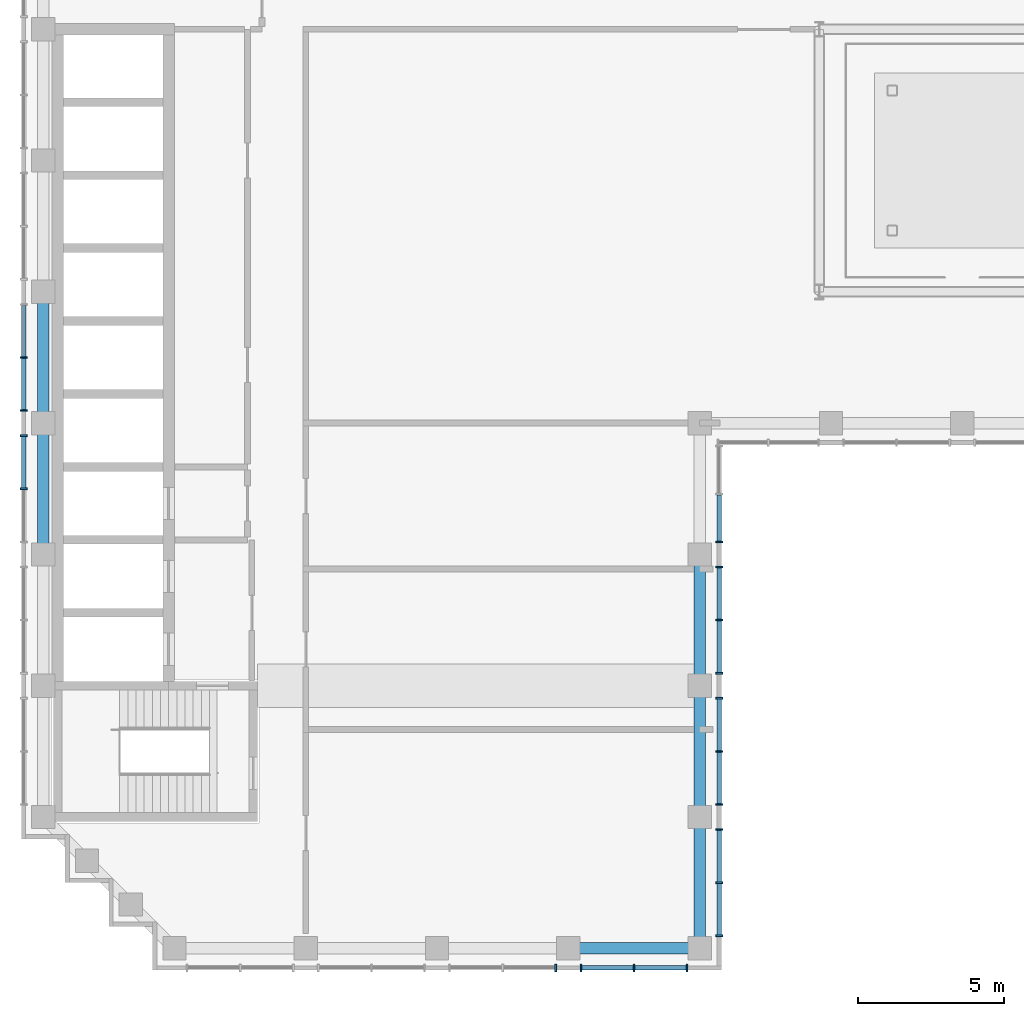
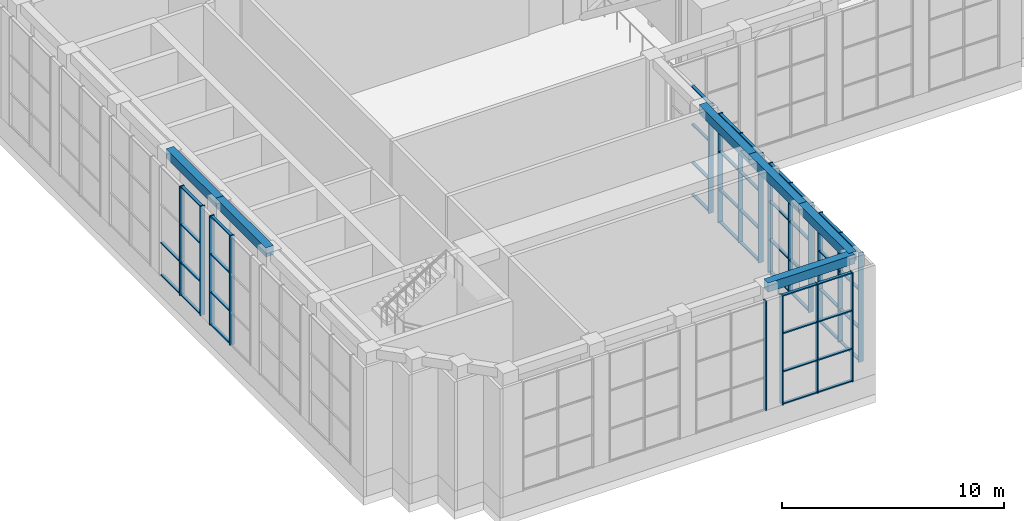
# One storey, part 3 of 17: 64 members, 6 beams, 8 elements without a shape of their own.
"""IFC4 building model written with IfcOpenShell, lengths in metres."""

from ifc_helpers import new_model, si_unit, direction, frame, origin, origin_2d, place, context, subcontext, project, spatial, rectangle, extrude, material, material_profile, profile_set, type_object, element, aggregate, save


model = new_model("IFC4")

# Units and contexts
model_context = context("Model", 3, precision=1e-05, world=origin(), true_north=direction((0.0, 1.0)))
body_context = subcontext(model_context, "Body", "Model", "MODEL_VIEW")
ifc_project = project(units=[si_unit("LENGTHUNIT", "METRE"), si_unit("AREAUNIT", "SQUARE_METRE"), si_unit("VOLUMEUNIT", "CUBIC_METRE"), si_unit("PLANEANGLEUNIT", "RADIAN"), si_unit("MASSUNIT", "GRAM", prefix="KILO")], contexts=[model_context])

# Site, building, storey
site_placement = place(None, origin())
site = spatial("IfcSite", under=ifc_project, at=site_placement, CompositionType="ELEMENT")
building_placement = place(site_placement, origin())
building = spatial("IfcBuilding", under=site, at=building_placement, Name="Firuza Court", CompositionType="ELEMENT")
storey_placement = place(building_placement, frame((0.0, 0.0, 258.199951171875)))
storey = spatial("IfcBuildingStorey", under=building, at=storey_placement, Name="L67", CompositionType="ELEMENT", Elevation=258.199951171875)

# Curtain wall, member
ifc_material_1 = material(Name="Aluminium curtain wall, triple clear glazing", Category="aluminium")
curtain_wall_type = type_object("IfcCurtainWallType", Name="Damper hall structural glazing CW4", PredefinedType="NOTDEFINED", material=ifc_material_1)
curtain_wall_1_placement = place(storey_placement, origin())
curtain_wall_1 = element("IfcCurtainWall", 1, at=curtain_wall_1_placement, inside=storey, type_object=curtain_wall_type, Name="Damper hall structural glazing CW4 L67", PredefinedType="NOTDEFINED")
ifc_material_2 = material(Name="Aluminium EN AW-6060 T66", Category="aluminium")
ifc_material_profile_1 = material_profile(ifc_material_2, rectangle(XDim=0.25, YDim=0.06005859375, at=origin_2d()), Name="Mullion 250 x 60 CW4")
ifc_profile_set_1 = profile_set([ifc_material_profile_1], Name="Aluminium EN AW-6060 T66")
member_type_1 = type_object("IfcMemberType", Name="Mullion 250 x 60 CW4", PredefinedType="MULLION", material=ifc_profile_set_1)
member_1_placement = place(storey_placement, frame((17.570068359375, 17.330078125, 1.10009765625), z_axis=(0.0, 0.0, 1.0), x_axis=(0.0, 1.0, 0.0)))
member_1 = element("IfcMember", 2, at=member_1_placement, type_object=member_type_1, Name="CW4 mullion 3", PredefinedType="MULLION", context=body_context, shape_type="SweptSolid", body=[
    extrude(rectangle(XDim=0.25, YDim=0.06005859375, at=origin_2d()), origin(), (0.0, 0.0, 1.0), 6.0),
])
aggregate(curtain_wall_1, [member_1])

# Curtain wall, members
curtain_wall_2_placement = place(storey_placement, origin())
curtain_wall_2 = element("IfcCurtainWall", 3, at=curtain_wall_2_placement, inside=storey, type_object=curtain_wall_type, Name="Damper hall structural glazing CW4 L67", PredefinedType="NOTDEFINED")
member_2_placement = place(storey_placement, frame((18.429931640625, 17.330078125, 1.10009765625), z_axis=(0.0, 0.0, 1.0), x_axis=(0.0, 1.0, 0.0)))
member_2 = element("IfcMember", 4, at=member_2_placement, type_object=member_type_1, Name="CW4 mullion 1", PredefinedType="MULLION", context=body_context, shape_type="SweptSolid", body=[
    extrude(rectangle(XDim=0.25, YDim=0.06005859375, at=origin_2d()), origin(), (0.0, 0.0, 1.0), 6.0),
])
member_3_placement = place(storey_placement, frame((20.25, 17.330078125, 1.10009765625), z_axis=(0.0, 0.0, 1.0), x_axis=(0.0, 1.0, 0.0)))
member_3 = element("IfcMember", 5, at=member_3_placement, type_object=member_type_1, Name="CW4 mullion 2", PredefinedType="MULLION", context=body_context, shape_type="SweptSolid", body=[
    extrude(rectangle(XDim=0.25, YDim=0.06005859375, at=origin_2d()), origin(), (0.0, 0.0, 1.0), 6.0),
])
member_4_placement = place(storey_placement, frame((22.070068359375, 17.330078125, 1.10009765625), z_axis=(0.0, 0.0, 1.0), x_axis=(0.0, 1.0, 0.0)))
member_4 = element("IfcMember", 6, at=member_4_placement, type_object=member_type_1, Name="CW4 mullion 3", PredefinedType="MULLION", context=body_context, shape_type="SweptSolid", body=[
    extrude(rectangle(XDim=0.25, YDim=0.06005859375, at=origin_2d()), origin(), (0.0, 0.0, 1.0), 6.0),
])

curtain_wall_3_placement = place(storey_placement, origin())
curtain_wall_3 = element("IfcCurtainWall", 7, at=curtain_wall_3_placement, inside=storey, type_object=curtain_wall_type, Name="Damper hall structural glazing CW4 L67", PredefinedType="NOTDEFINED")
member_5_placement = place(storey_placement, frame((23.169921875, 18.429931640625, 1.10009765625), z_axis=(0.0, 0.0, 1.0), x_axis=(-1.0, 0.0, 0.0)))
member_5 = element("IfcMember", 8, at=member_5_placement, type_object=member_type_1, Name="CW4 mullion 1", PredefinedType="MULLION", context=body_context, shape_type="SweptSolid", body=[
    extrude(rectangle(XDim=0.25, YDim=0.06005859375, at=origin_2d()), origin(), (0.0, 0.0, 1.0), 6.0),
])
member_6_placement = place(storey_placement, frame((23.169921875, 20.25, 1.10009765625), z_axis=(0.0, 0.0, 1.0), x_axis=(-1.0, 0.0, 0.0)))
member_6 = element("IfcMember", 9, at=member_6_placement, type_object=member_type_1, Name="CW4 mullion 2", PredefinedType="MULLION", context=body_context, shape_type="SweptSolid", body=[
    extrude(rectangle(XDim=0.25, YDim=0.06005859375, at=origin_2d()), origin(), (0.0, 0.0, 1.0), 6.0),
])
member_7_placement = place(storey_placement, frame((23.169921875, 22.070068359375, 1.10009765625), z_axis=(0.0, 0.0, 1.0), x_axis=(-1.0, 0.0, 0.0)))
member_7 = element("IfcMember", 10, at=member_7_placement, type_object=member_type_1, Name="CW4 mullion 3", PredefinedType="MULLION", context=body_context, shape_type="SweptSolid", body=[
    extrude(rectangle(XDim=0.25, YDim=0.06005859375, at=origin_2d()), origin(), (0.0, 0.0, 1.0), 6.0),
])

curtain_wall_4_placement = place(storey_placement, origin())
curtain_wall_4 = element("IfcCurtainWall", 11, at=curtain_wall_4_placement, inside=storey, type_object=curtain_wall_type, Name="Damper hall structural glazing CW4 L67", PredefinedType="NOTDEFINED")
member_8_placement = place(storey_placement, frame((23.169921875, 22.929931640625, 1.10009765625), z_axis=(0.0, 0.0, 1.0), x_axis=(-1.0, 0.0, 0.0)))
member_8 = element("IfcMember", 12, at=member_8_placement, type_object=member_type_1, Name="CW4 mullion 1", PredefinedType="MULLION", context=body_context, shape_type="SweptSolid", body=[
    extrude(rectangle(XDim=0.25, YDim=0.06005859375, at=origin_2d()), origin(), (0.0, 0.0, 1.0), 6.0),
])
member_9_placement = place(storey_placement, frame((23.169921875, 24.75, 1.10009765625), z_axis=(0.0, 0.0, 1.0), x_axis=(-1.0, 0.0, 0.0)))
member_9 = element("IfcMember", 13, at=member_9_placement, type_object=member_type_1, Name="CW4 mullion 2", PredefinedType="MULLION", context=body_context, shape_type="SweptSolid", body=[
    extrude(rectangle(XDim=0.25, YDim=0.06005859375, at=origin_2d()), origin(), (0.0, 0.0, 1.0), 6.0),
])
member_10_placement = place(storey_placement, frame((23.169921875, 26.570068359375, 1.10009765625), z_axis=(0.0, 0.0, 1.0), x_axis=(-1.0, 0.0, 0.0)))
member_10 = element("IfcMember", 14, at=member_10_placement, type_object=member_type_1, Name="CW4 mullion 3", PredefinedType="MULLION", context=body_context, shape_type="SweptSolid", body=[
    extrude(rectangle(XDim=0.25, YDim=0.06005859375, at=origin_2d()), origin(), (0.0, 0.0, 1.0), 6.0),
])

curtain_wall_5_placement = place(storey_placement, origin())
curtain_wall_5 = element("IfcCurtainWall", 15, at=curtain_wall_5_placement, inside=storey, type_object=curtain_wall_type, Name="Damper hall structural glazing CW4 L67", PredefinedType="NOTDEFINED")
member_11_placement = place(storey_placement, frame((23.169921875, 27.429931640625, 1.10009765625), z_axis=(0.0, 0.0, 1.0), x_axis=(-1.0, 0.0, 0.0)))
member_11 = element("IfcMember", 16, at=member_11_placement, type_object=member_type_1, Name="CW4 mullion 1", PredefinedType="MULLION", context=body_context, shape_type="SweptSolid", body=[
    extrude(rectangle(XDim=0.25, YDim=0.06005859375, at=origin_2d()), origin(), (0.0, 0.0, 1.0), 6.0),
])
member_12_placement = place(storey_placement, frame((23.169921875, 29.25, 1.10009765625), z_axis=(0.0, 0.0, 1.0), x_axis=(-1.0, 0.0, 0.0)))
member_12 = element("IfcMember", 17, at=member_12_placement, type_object=member_type_1, Name="CW4 mullion 2", PredefinedType="MULLION", context=body_context, shape_type="SweptSolid", body=[
    extrude(rectangle(XDim=0.25, YDim=0.06005859375, at=origin_2d()), origin(), (0.0, 0.0, 1.0), 6.0),
])
member_13_placement = place(storey_placement, frame((23.169921875, 31.070068359375, 1.10009765625), z_axis=(0.0, 0.0, 1.0), x_axis=(-1.0, 0.0, 0.0)))
member_13 = element("IfcMember", 18, at=member_13_placement, type_object=member_type_1, Name="CW4 mullion 3", PredefinedType="MULLION", context=body_context, shape_type="SweptSolid", body=[
    extrude(rectangle(XDim=0.25, YDim=0.06005859375, at=origin_2d()), origin(), (0.0, 0.0, 1.0), 6.0),
])

# Curtain wall, member
curtain_wall_6_placement = place(storey_placement, origin())
curtain_wall_6 = element("IfcCurtainWall", 19, at=curtain_wall_6_placement, inside=storey, type_object=curtain_wall_type, Name="Damper hall structural glazing CW4 L67", PredefinedType="NOTDEFINED")
member_14_placement = place(storey_placement, frame((23.169921875, 31.929931640625, 1.10009765625), z_axis=(0.0, 0.0, 1.0), x_axis=(-1.0, 0.0, 0.0)))
member_14 = element("IfcMember", 20, at=member_14_placement, type_object=member_type_1, Name="CW4 mullion 1", PredefinedType="MULLION", context=body_context, shape_type="SweptSolid", body=[
    extrude(rectangle(XDim=0.25, YDim=0.06005859375, at=origin_2d()), origin(), (0.0, 0.0, 1.0), 6.0),
])

# Curtain wall, members
curtain_wall_7_placement = place(storey_placement, origin())
curtain_wall_7 = element("IfcCurtainWall", 21, at=curtain_wall_7_placement, inside=storey, type_object=curtain_wall_type, Name="Damper hall structural glazing CW4 L67", PredefinedType="NOTDEFINED")
member_15_placement = place(storey_placement, frame((-0.669921875, 38.25, 1.10009765625), z_axis=(0.0, 0.0, 1.0), x_axis=(1.0, 0.0, 0.0)))
member_15 = element("IfcMember", 22, at=member_15_placement, type_object=member_type_1, Name="CW4 mullion 2", PredefinedType="MULLION", context=body_context, shape_type="SweptSolid", body=[
    extrude(rectangle(XDim=0.25, YDim=0.06005859375, at=origin_2d()), origin(), (0.0, 0.0, 1.0), 6.0),
])
member_16_placement = place(storey_placement, frame((-0.669921875, 36.429931640625, 1.10009765625), z_axis=(0.0, 0.0, 1.0), x_axis=(1.0, 0.0, 0.0)))
member_16 = element("IfcMember", 23, at=member_16_placement, type_object=member_type_1, Name="CW4 mullion 3", PredefinedType="MULLION", context=body_context, shape_type="SweptSolid", body=[
    extrude(rectangle(XDim=0.25, YDim=0.06005859375, at=origin_2d()), origin(), (0.0, 0.0, 1.0), 6.0),
])

curtain_wall_8_placement = place(storey_placement, origin())
curtain_wall_8 = element("IfcCurtainWall", 24, at=curtain_wall_8_placement, inside=storey, type_object=curtain_wall_type, Name="Damper hall structural glazing CW4 L67", PredefinedType="NOTDEFINED")
member_17_placement = place(storey_placement, frame((-0.669921875, 35.570068359375, 1.10009765625), z_axis=(0.0, 0.0, 1.0), x_axis=(1.0, 0.0, 0.0)))
member_17 = element("IfcMember", 25, at=member_17_placement, type_object=member_type_1, Name="CW4 mullion 1", PredefinedType="MULLION", context=body_context, shape_type="SweptSolid", body=[
    extrude(rectangle(XDim=0.25, YDim=0.06005859375, at=origin_2d()), origin(), (0.0, 0.0, 1.0), 6.0),
])
member_18_placement = place(storey_placement, frame((-0.669921875, 33.75, 1.10009765625), z_axis=(0.0, 0.0, 1.0), x_axis=(1.0, 0.0, 0.0)))
member_18 = element("IfcMember", 26, at=member_18_placement, type_object=member_type_1, Name="CW4 mullion 2", PredefinedType="MULLION", context=body_context, shape_type="SweptSolid", body=[
    extrude(rectangle(XDim=0.25, YDim=0.06005859375, at=origin_2d()), origin(), (0.0, 0.0, 1.0), 6.0),
])

# Beams
ifc_material_3 = material(Name="Concrete C40/50", Category="concrete")
ifc_material_profile_2 = material_profile(ifc_material_3, rectangle(XDim=0.39990234375, YDim=0.5, at=origin_2d()), Name="RC 400x500")
ifc_profile_set_2 = profile_set([ifc_material_profile_2], Name="Concrete C40/50")
beam_type = type_object("IfcBeamType", Name="Spandrel beam RC 400x500 C40/50", PredefinedType="BEAM", material=ifc_profile_set_2)
for number, where, z_axis, x_axis, name in (
    (27, (0.0, 36.0, 7.35009765625), (0.0, -1.0, 0.0), (1.0, 0.0, 0.0), "Spandrel beam SP18 level L68"),
    (28, (0.0, 40.5, 7.35009765625), (0.0, -1.0, 0.0), (1.0, 0.0, 0.0), "Spandrel beam SP18 level L68"),
    (29, (18.0, 18.0, 7.35009765625), (1.0, 0.0, 0.0), (0.0, 1.0, 0.0), "Spandrel beam SP18 level L68"),
    (30, (22.5, 18.0, 7.35009765625), (0.0, 1.0, 0.0), (-1.0, 0.0, 0.0), "Spandrel beam SP18 level L68"),
    (31, (22.5, 22.5, 7.35009765625), (0.0, 1.0, 0.0), (-1.0, 0.0, 0.0), "Spandrel beam SP18 level L68"),
    (32, (22.5, 27.0, 7.35009765625), (0.0, 1.0, 0.0), (-1.0, 0.0, 0.0), "Spandrel beam SP18 level L68"),
):
    element("IfcBeam", number, at=place(storey_placement, frame(where, z_axis=z_axis, x_axis=x_axis)), inside=storey, type_object=beam_type, Name=name, PredefinedType="BEAM", context=body_context, shape_type="SweptSolid", body=[
        extrude(rectangle(XDim=0.39990234375, YDim=0.5, at=origin_2d()), origin(), (0.0, 0.0, 1.0), 4.5),
    ])

# Member
ifc_material_4 = material(Name="Aluminium EN AW-6060 T66", Category="aluminium")
ifc_material_profile_3 = material_profile(ifc_material_4, rectangle(XDim=0.14990234375, YDim=0.06005859375, at=origin_2d()), Name="Transom 150 x 60 CW4")
ifc_profile_set_3 = profile_set([ifc_material_profile_3], Name="Aluminium EN AW-6060 T66")
member_type_2 = type_object("IfcMemberType", Name="Transom 150 x 60 CW4", PredefinedType="USERDEFINED", material=ifc_profile_set_3)
member_19_placement = place(storey_placement, frame((18.4599609375, 17.330078125, 1.130126953125), z_axis=(1.0, 0.0, 0.0), x_axis=(0.0, 1.0, 0.0)))
member_19 = element("IfcMember", 33, at=member_19_placement, type_object=member_type_2, Name="CW4 transom 1.1", ObjectType="TRANSOM", PredefinedType="USERDEFINED", context=body_context, shape_type="SweptSolid", body=[
    extrude(rectangle(XDim=0.14990234375, YDim=0.06005859375, at=origin_2d()), origin(), (0.0, 0.0, 1.0), 1.760009765625),
])

member_20_placement = place(storey_placement, frame((18.4599609375, 17.330078125, 2.900146484375), z_axis=(1.0, 0.0, 0.0), x_axis=(0.0, 1.0, 0.0)))
member_20 = element("IfcMember", 34, at=member_20_placement, type_object=member_type_2, Name="CW4 transom 1.2", ObjectType="TRANSOM", PredefinedType="USERDEFINED", context=body_context, shape_type="SweptSolid", body=[
    extrude(rectangle(XDim=0.14990234375, YDim=0.06005859375, at=origin_2d()), origin(), (0.0, 0.0, 1.0), 1.760009765625),
])

member_21_placement = place(storey_placement, frame((18.4599609375, 17.330078125, 5.0), z_axis=(1.0, 0.0, 0.0), x_axis=(0.0, 1.0, 0.0)))
member_21 = element("IfcMember", 35, at=member_21_placement, type_object=member_type_2, Name="CW4 transom 1.3", ObjectType="TRANSOM", PredefinedType="USERDEFINED", context=body_context, shape_type="SweptSolid", body=[
    extrude(rectangle(XDim=0.14990234375, YDim=0.06005859375, at=origin_2d()), origin(), (0.0, 0.0, 1.0), 1.760009765625),
])

member_22_placement = place(storey_placement, frame((18.4599609375, 17.330078125, 7.070068359375), z_axis=(1.0, 0.0, 0.0), x_axis=(0.0, 1.0, 0.0)))
member_22 = element("IfcMember", 36, at=member_22_placement, type_object=member_type_2, Name="CW4 transom 1.4", ObjectType="TRANSOM", PredefinedType="USERDEFINED", context=body_context, shape_type="SweptSolid", body=[
    extrude(rectangle(XDim=0.14990234375, YDim=0.06005859375, at=origin_2d()), origin(), (0.0, 0.0, 1.0), 1.760009765625),
])

member_23_placement = place(storey_placement, frame((20.280029296875, 17.330078125, 1.130126953125), z_axis=(1.0, 0.0, 0.0), x_axis=(0.0, 1.0, 0.0)))
member_23 = element("IfcMember", 37, at=member_23_placement, type_object=member_type_2, Name="CW4 transom 2.1", ObjectType="TRANSOM", PredefinedType="USERDEFINED", context=body_context, shape_type="SweptSolid", body=[
    extrude(rectangle(XDim=0.14990234375, YDim=0.06005859375, at=origin_2d()), origin(), (0.0, 0.0, 1.0), 1.760009765625),
])

member_24_placement = place(storey_placement, frame((20.280029296875, 17.330078125, 2.900146484375), z_axis=(1.0, 0.0, 0.0), x_axis=(0.0, 1.0, 0.0)))
member_24 = element("IfcMember", 38, at=member_24_placement, type_object=member_type_2, Name="CW4 transom 2.2", ObjectType="TRANSOM", PredefinedType="USERDEFINED", context=body_context, shape_type="SweptSolid", body=[
    extrude(rectangle(XDim=0.14990234375, YDim=0.06005859375, at=origin_2d()), origin(), (0.0, 0.0, 1.0), 1.760009765625),
])

member_25_placement = place(storey_placement, frame((20.280029296875, 17.330078125, 5.0), z_axis=(1.0, 0.0, 0.0), x_axis=(0.0, 1.0, 0.0)))
member_25 = element("IfcMember", 39, at=member_25_placement, type_object=member_type_2, Name="CW4 transom 2.3", ObjectType="TRANSOM", PredefinedType="USERDEFINED", context=body_context, shape_type="SweptSolid", body=[
    extrude(rectangle(XDim=0.14990234375, YDim=0.06005859375, at=origin_2d()), origin(), (0.0, 0.0, 1.0), 1.760009765625),
])

member_26_placement = place(storey_placement, frame((20.280029296875, 17.330078125, 7.070068359375), z_axis=(1.0, 0.0, 0.0), x_axis=(0.0, 1.0, 0.0)))
member_26 = element("IfcMember", 40, at=member_26_placement, type_object=member_type_2, Name="CW4 transom 2.4", ObjectType="TRANSOM", PredefinedType="USERDEFINED", context=body_context, shape_type="SweptSolid", body=[
    extrude(rectangle(XDim=0.14990234375, YDim=0.06005859375, at=origin_2d()), origin(), (0.0, 0.0, 1.0), 1.760009765625),
])

aggregate(curtain_wall_2, [member_2, member_3, member_4, member_19, member_20, member_21, member_22, member_23, member_24, member_25, member_26])

member_27_placement = place(storey_placement, frame((23.169921875, 18.4599609375, 1.130126953125), z_axis=(0.0, 1.0, 0.0), x_axis=(-1.0, 0.0, 0.0)))
member_27 = element("IfcMember", 41, at=member_27_placement, type_object=member_type_2, Name="CW4 transom 1.1", ObjectType="TRANSOM", PredefinedType="USERDEFINED", context=body_context, shape_type="SweptSolid", body=[
    extrude(rectangle(XDim=0.14990234375, YDim=0.06005859375, at=origin_2d()), origin(), (0.0, 0.0, 1.0), 1.760009765625),
])

member_28_placement = place(storey_placement, frame((23.169921875, 18.4599609375, 2.900146484375), z_axis=(0.0, 1.0, 0.0), x_axis=(-1.0, 0.0, 0.0)))
member_28 = element("IfcMember", 42, at=member_28_placement, type_object=member_type_2, Name="CW4 transom 1.2", ObjectType="TRANSOM", PredefinedType="USERDEFINED", context=body_context, shape_type="SweptSolid", body=[
    extrude(rectangle(XDim=0.14990234375, YDim=0.06005859375, at=origin_2d()), origin(), (0.0, 0.0, 1.0), 1.760009765625),
])

member_29_placement = place(storey_placement, frame((23.169921875, 18.4599609375, 5.0), z_axis=(0.0, 1.0, 0.0), x_axis=(-1.0, 0.0, 0.0)))
member_29 = element("IfcMember", 43, at=member_29_placement, type_object=member_type_2, Name="CW4 transom 1.3", ObjectType="TRANSOM", PredefinedType="USERDEFINED", context=body_context, shape_type="SweptSolid", body=[
    extrude(rectangle(XDim=0.14990234375, YDim=0.06005859375, at=origin_2d()), origin(), (0.0, 0.0, 1.0), 1.760009765625),
])

member_30_placement = place(storey_placement, frame((23.169921875, 18.4599609375, 7.070068359375), z_axis=(0.0, 1.0, 0.0), x_axis=(-1.0, 0.0, 0.0)))
member_30 = element("IfcMember", 44, at=member_30_placement, type_object=member_type_2, Name="CW4 transom 1.4", ObjectType="TRANSOM", PredefinedType="USERDEFINED", context=body_context, shape_type="SweptSolid", body=[
    extrude(rectangle(XDim=0.14990234375, YDim=0.06005859375, at=origin_2d()), origin(), (0.0, 0.0, 1.0), 1.760009765625),
])

member_31_placement = place(storey_placement, frame((23.169921875, 20.280029296875, 1.130126953125), z_axis=(0.0, 1.0, 0.0), x_axis=(-1.0, 0.0, 0.0)))
member_31 = element("IfcMember", 45, at=member_31_placement, type_object=member_type_2, Name="CW4 transom 2.1", ObjectType="TRANSOM", PredefinedType="USERDEFINED", context=body_context, shape_type="SweptSolid", body=[
    extrude(rectangle(XDim=0.14990234375, YDim=0.06005859375, at=origin_2d()), origin(), (0.0, 0.0, 1.0), 1.760009765625),
])

member_32_placement = place(storey_placement, frame((23.169921875, 20.280029296875, 2.900146484375), z_axis=(0.0, 1.0, 0.0), x_axis=(-1.0, 0.0, 0.0)))
member_32 = element("IfcMember", 46, at=member_32_placement, type_object=member_type_2, Name="CW4 transom 2.2", ObjectType="TRANSOM", PredefinedType="USERDEFINED", context=body_context, shape_type="SweptSolid", body=[
    extrude(rectangle(XDim=0.14990234375, YDim=0.06005859375, at=origin_2d()), origin(), (0.0, 0.0, 1.0), 1.760009765625),
])

member_33_placement = place(storey_placement, frame((23.169921875, 20.280029296875, 5.0), z_axis=(0.0, 1.0, 0.0), x_axis=(-1.0, 0.0, 0.0)))
member_33 = element("IfcMember", 47, at=member_33_placement, type_object=member_type_2, Name="CW4 transom 2.3", ObjectType="TRANSOM", PredefinedType="USERDEFINED", context=body_context, shape_type="SweptSolid", body=[
    extrude(rectangle(XDim=0.14990234375, YDim=0.06005859375, at=origin_2d()), origin(), (0.0, 0.0, 1.0), 1.760009765625),
])

member_34_placement = place(storey_placement, frame((23.169921875, 20.280029296875, 7.070068359375), z_axis=(0.0, 1.0, 0.0), x_axis=(-1.0, 0.0, 0.0)))
member_34 = element("IfcMember", 48, at=member_34_placement, type_object=member_type_2, Name="CW4 transom 2.4", ObjectType="TRANSOM", PredefinedType="USERDEFINED", context=body_context, shape_type="SweptSolid", body=[
    extrude(rectangle(XDim=0.14990234375, YDim=0.06005859375, at=origin_2d()), origin(), (0.0, 0.0, 1.0), 1.760009765625),
])

aggregate(curtain_wall_3, [member_5, member_6, member_7, member_27, member_28, member_29, member_30, member_31, member_32, member_33, member_34])

member_35_placement = place(storey_placement, frame((23.169921875, 22.9599609375, 1.130126953125), z_axis=(0.0, 1.0, 0.0), x_axis=(-1.0, 0.0, 0.0)))
member_35 = element("IfcMember", 49, at=member_35_placement, type_object=member_type_2, Name="CW4 transom 1.1", ObjectType="TRANSOM", PredefinedType="USERDEFINED", context=body_context, shape_type="SweptSolid", body=[
    extrude(rectangle(XDim=0.14990234375, YDim=0.06005859375, at=origin_2d()), origin(), (0.0, 0.0, 1.0), 1.760009765625),
])

member_36_placement = place(storey_placement, frame((23.169921875, 22.9599609375, 2.900146484375), z_axis=(0.0, 1.0, 0.0), x_axis=(-1.0, 0.0, 0.0)))
member_36 = element("IfcMember", 50, at=member_36_placement, type_object=member_type_2, Name="CW4 transom 1.2", ObjectType="TRANSOM", PredefinedType="USERDEFINED", context=body_context, shape_type="SweptSolid", body=[
    extrude(rectangle(XDim=0.14990234375, YDim=0.06005859375, at=origin_2d()), origin(), (0.0, 0.0, 1.0), 1.760009765625),
])

member_37_placement = place(storey_placement, frame((23.169921875, 22.9599609375, 5.0), z_axis=(0.0, 1.0, 0.0), x_axis=(-1.0, 0.0, 0.0)))
member_37 = element("IfcMember", 51, at=member_37_placement, type_object=member_type_2, Name="CW4 transom 1.3", ObjectType="TRANSOM", PredefinedType="USERDEFINED", context=body_context, shape_type="SweptSolid", body=[
    extrude(rectangle(XDim=0.14990234375, YDim=0.06005859375, at=origin_2d()), origin(), (0.0, 0.0, 1.0), 1.760009765625),
])

member_38_placement = place(storey_placement, frame((23.169921875, 22.9599609375, 7.070068359375), z_axis=(0.0, 1.0, 0.0), x_axis=(-1.0, 0.0, 0.0)))
member_38 = element("IfcMember", 52, at=member_38_placement, type_object=member_type_2, Name="CW4 transom 1.4", ObjectType="TRANSOM", PredefinedType="USERDEFINED", context=body_context, shape_type="SweptSolid", body=[
    extrude(rectangle(XDim=0.14990234375, YDim=0.06005859375, at=origin_2d()), origin(), (0.0, 0.0, 1.0), 1.760009765625),
])

member_39_placement = place(storey_placement, frame((23.169921875, 24.780029296875, 1.130126953125), z_axis=(0.0, 1.0, 0.0), x_axis=(-1.0, 0.0, 0.0)))
member_39 = element("IfcMember", 53, at=member_39_placement, type_object=member_type_2, Name="CW4 transom 2.1", ObjectType="TRANSOM", PredefinedType="USERDEFINED", context=body_context, shape_type="SweptSolid", body=[
    extrude(rectangle(XDim=0.14990234375, YDim=0.06005859375, at=origin_2d()), origin(), (0.0, 0.0, 1.0), 1.760009765625),
])

member_40_placement = place(storey_placement, frame((23.169921875, 24.780029296875, 2.900146484375), z_axis=(0.0, 1.0, 0.0), x_axis=(-1.0, 0.0, 0.0)))
member_40 = element("IfcMember", 54, at=member_40_placement, type_object=member_type_2, Name="CW4 transom 2.2", ObjectType="TRANSOM", PredefinedType="USERDEFINED", context=body_context, shape_type="SweptSolid", body=[
    extrude(rectangle(XDim=0.14990234375, YDim=0.06005859375, at=origin_2d()), origin(), (0.0, 0.0, 1.0), 1.760009765625),
])

member_41_placement = place(storey_placement, frame((23.169921875, 24.780029296875, 5.0), z_axis=(0.0, 1.0, 0.0), x_axis=(-1.0, 0.0, 0.0)))
member_41 = element("IfcMember", 55, at=member_41_placement, type_object=member_type_2, Name="CW4 transom 2.3", ObjectType="TRANSOM", PredefinedType="USERDEFINED", context=body_context, shape_type="SweptSolid", body=[
    extrude(rectangle(XDim=0.14990234375, YDim=0.06005859375, at=origin_2d()), origin(), (0.0, 0.0, 1.0), 1.760009765625),
])

member_42_placement = place(storey_placement, frame((23.169921875, 24.780029296875, 7.070068359375), z_axis=(0.0, 1.0, 0.0), x_axis=(-1.0, 0.0, 0.0)))
member_42 = element("IfcMember", 56, at=member_42_placement, type_object=member_type_2, Name="CW4 transom 2.4", ObjectType="TRANSOM", PredefinedType="USERDEFINED", context=body_context, shape_type="SweptSolid", body=[
    extrude(rectangle(XDim=0.14990234375, YDim=0.06005859375, at=origin_2d()), origin(), (0.0, 0.0, 1.0), 1.760009765625),
])

aggregate(curtain_wall_4, [member_8, member_9, member_10, member_35, member_36, member_37, member_38, member_39, member_40, member_41, member_42])

member_43_placement = place(storey_placement, frame((23.169921875, 27.4599609375, 1.130126953125), z_axis=(0.0, 1.0, 0.0), x_axis=(-1.0, 0.0, 0.0)))
member_43 = element("IfcMember", 57, at=member_43_placement, type_object=member_type_2, Name="CW4 transom 1.1", ObjectType="TRANSOM", PredefinedType="USERDEFINED", context=body_context, shape_type="SweptSolid", body=[
    extrude(rectangle(XDim=0.14990234375, YDim=0.06005859375, at=origin_2d()), origin(), (0.0, 0.0, 1.0), 1.760009765625),
])

member_44_placement = place(storey_placement, frame((23.169921875, 27.4599609375, 2.900146484375), z_axis=(0.0, 1.0, 0.0), x_axis=(-1.0, 0.0, 0.0)))
member_44 = element("IfcMember", 58, at=member_44_placement, type_object=member_type_2, Name="CW4 transom 1.2", ObjectType="TRANSOM", PredefinedType="USERDEFINED", context=body_context, shape_type="SweptSolid", body=[
    extrude(rectangle(XDim=0.14990234375, YDim=0.06005859375, at=origin_2d()), origin(), (0.0, 0.0, 1.0), 1.760009765625),
])

member_45_placement = place(storey_placement, frame((23.169921875, 27.4599609375, 5.0), z_axis=(0.0, 1.0, 0.0), x_axis=(-1.0, 0.0, 0.0)))
member_45 = element("IfcMember", 59, at=member_45_placement, type_object=member_type_2, Name="CW4 transom 1.3", ObjectType="TRANSOM", PredefinedType="USERDEFINED", context=body_context, shape_type="SweptSolid", body=[
    extrude(rectangle(XDim=0.14990234375, YDim=0.06005859375, at=origin_2d()), origin(), (0.0, 0.0, 1.0), 1.760009765625),
])

member_46_placement = place(storey_placement, frame((23.169921875, 27.4599609375, 7.070068359375), z_axis=(0.0, 1.0, 0.0), x_axis=(-1.0, 0.0, 0.0)))
member_46 = element("IfcMember", 60, at=member_46_placement, type_object=member_type_2, Name="CW4 transom 1.4", ObjectType="TRANSOM", PredefinedType="USERDEFINED", context=body_context, shape_type="SweptSolid", body=[
    extrude(rectangle(XDim=0.14990234375, YDim=0.06005859375, at=origin_2d()), origin(), (0.0, 0.0, 1.0), 1.760009765625),
])

member_47_placement = place(storey_placement, frame((23.169921875, 29.280029296875, 1.130126953125), z_axis=(0.0, 1.0, 0.0), x_axis=(-1.0, 0.0, 0.0)))
member_47 = element("IfcMember", 61, at=member_47_placement, type_object=member_type_2, Name="CW4 transom 2.1", ObjectType="TRANSOM", PredefinedType="USERDEFINED", context=body_context, shape_type="SweptSolid", body=[
    extrude(rectangle(XDim=0.14990234375, YDim=0.06005859375, at=origin_2d()), origin(), (0.0, 0.0, 1.0), 1.760009765625),
])

member_48_placement = place(storey_placement, frame((23.169921875, 29.280029296875, 2.900146484375), z_axis=(0.0, 1.0, 0.0), x_axis=(-1.0, 0.0, 0.0)))
member_48 = element("IfcMember", 62, at=member_48_placement, type_object=member_type_2, Name="CW4 transom 2.2", ObjectType="TRANSOM", PredefinedType="USERDEFINED", context=body_context, shape_type="SweptSolid", body=[
    extrude(rectangle(XDim=0.14990234375, YDim=0.06005859375, at=origin_2d()), origin(), (0.0, 0.0, 1.0), 1.760009765625),
])

member_49_placement = place(storey_placement, frame((23.169921875, 29.280029296875, 5.0), z_axis=(0.0, 1.0, 0.0), x_axis=(-1.0, 0.0, 0.0)))
member_49 = element("IfcMember", 63, at=member_49_placement, type_object=member_type_2, Name="CW4 transom 2.3", ObjectType="TRANSOM", PredefinedType="USERDEFINED", context=body_context, shape_type="SweptSolid", body=[
    extrude(rectangle(XDim=0.14990234375, YDim=0.06005859375, at=origin_2d()), origin(), (0.0, 0.0, 1.0), 1.760009765625),
])

member_50_placement = place(storey_placement, frame((23.169921875, 29.280029296875, 7.070068359375), z_axis=(0.0, 1.0, 0.0), x_axis=(-1.0, 0.0, 0.0)))
member_50 = element("IfcMember", 64, at=member_50_placement, type_object=member_type_2, Name="CW4 transom 2.4", ObjectType="TRANSOM", PredefinedType="USERDEFINED", context=body_context, shape_type="SweptSolid", body=[
    extrude(rectangle(XDim=0.14990234375, YDim=0.06005859375, at=origin_2d()), origin(), (0.0, 0.0, 1.0), 1.760009765625),
])

aggregate(curtain_wall_5, [member_11, member_12, member_13, member_43, member_44, member_45, member_46, member_47, member_48, member_49, member_50])

member_51_placement = place(storey_placement, frame((23.169921875, 31.9599609375, 1.130126953125), z_axis=(0.0, 1.0, 0.0), x_axis=(-1.0, 0.0, 0.0)))
member_51 = element("IfcMember", 65, at=member_51_placement, type_object=member_type_2, Name="CW4 transom 1.1", ObjectType="TRANSOM", PredefinedType="USERDEFINED", context=body_context, shape_type="SweptSolid", body=[
    extrude(rectangle(XDim=0.14990234375, YDim=0.06005859375, at=origin_2d()), origin(), (0.0, 0.0, 1.0), 1.5849609375),
])

member_52_placement = place(storey_placement, frame((23.169921875, 31.9599609375, 2.900146484375), z_axis=(0.0, 1.0, 0.0), x_axis=(-1.0, 0.0, 0.0)))
member_52 = element("IfcMember", 66, at=member_52_placement, type_object=member_type_2, Name="CW4 transom 1.2", ObjectType="TRANSOM", PredefinedType="USERDEFINED", context=body_context, shape_type="SweptSolid", body=[
    extrude(rectangle(XDim=0.14990234375, YDim=0.06005859375, at=origin_2d()), origin(), (0.0, 0.0, 1.0), 1.5849609375),
])

member_53_placement = place(storey_placement, frame((23.169921875, 31.9599609375, 5.0), z_axis=(0.0, 1.0, 0.0), x_axis=(-1.0, 0.0, 0.0)))
member_53 = element("IfcMember", 67, at=member_53_placement, type_object=member_type_2, Name="CW4 transom 1.3", ObjectType="TRANSOM", PredefinedType="USERDEFINED", context=body_context, shape_type="SweptSolid", body=[
    extrude(rectangle(XDim=0.14990234375, YDim=0.06005859375, at=origin_2d()), origin(), (0.0, 0.0, 1.0), 1.5849609375),
])

member_54_placement = place(storey_placement, frame((23.169921875, 31.9599609375, 7.070068359375), z_axis=(0.0, 1.0, 0.0), x_axis=(-1.0, 0.0, 0.0)))
member_54 = element("IfcMember", 68, at=member_54_placement, type_object=member_type_2, Name="CW4 transom 1.4", ObjectType="TRANSOM", PredefinedType="USERDEFINED", context=body_context, shape_type="SweptSolid", body=[
    extrude(rectangle(XDim=0.14990234375, YDim=0.06005859375, at=origin_2d()), origin(), (0.0, 0.0, 1.0), 1.5849609375),
])

aggregate(curtain_wall_6, [member_14, member_51, member_52, member_53, member_54])

member_55_placement = place(storey_placement, frame((-0.669921875, 40.0400390625, 1.130126953125), z_axis=(0.0, -1.0, 0.0), x_axis=(1.0, 0.0, 0.0)))
member_55 = element("IfcMember", 69, at=member_55_placement, type_object=member_type_2, Name="CW4 transom 1.1", ObjectType="TRANSOM", PredefinedType="USERDEFINED", context=body_context, shape_type="SweptSolid", body=[
    extrude(rectangle(XDim=0.14990234375, YDim=0.06005859375, at=origin_2d()), origin(), (0.0, 0.0, 1.0), 1.760009765625),
])

member_56_placement = place(storey_placement, frame((-0.669921875, 40.0400390625, 2.900146484375), z_axis=(0.0, -1.0, 0.0), x_axis=(1.0, 0.0, 0.0)))
member_56 = element("IfcMember", 70, at=member_56_placement, type_object=member_type_2, Name="CW4 transom 1.2", ObjectType="TRANSOM", PredefinedType="USERDEFINED", context=body_context, shape_type="SweptSolid", body=[
    extrude(rectangle(XDim=0.14990234375, YDim=0.06005859375, at=origin_2d()), origin(), (0.0, 0.0, 1.0), 1.760009765625),
])

member_57_placement = place(storey_placement, frame((-0.669921875, 38.219970703125, 1.130126953125), z_axis=(0.0, -1.0, 0.0), x_axis=(1.0, 0.0, 0.0)))
member_57 = element("IfcMember", 71, at=member_57_placement, type_object=member_type_2, Name="CW4 transom 2.1", ObjectType="TRANSOM", PredefinedType="USERDEFINED", context=body_context, shape_type="SweptSolid", body=[
    extrude(rectangle(XDim=0.14990234375, YDim=0.06005859375, at=origin_2d()), origin(), (0.0, 0.0, 1.0), 1.760009765625),
])

member_58_placement = place(storey_placement, frame((-0.669921875, 38.219970703125, 2.900146484375), z_axis=(0.0, -1.0, 0.0), x_axis=(1.0, 0.0, 0.0)))
member_58 = element("IfcMember", 72, at=member_58_placement, type_object=member_type_2, Name="CW4 transom 2.2", ObjectType="TRANSOM", PredefinedType="USERDEFINED", context=body_context, shape_type="SweptSolid", body=[
    extrude(rectangle(XDim=0.14990234375, YDim=0.06005859375, at=origin_2d()), origin(), (0.0, 0.0, 1.0), 1.760009765625),
])

member_59_placement = place(storey_placement, frame((-0.669921875, 38.219970703125, 5.0), z_axis=(0.0, -1.0, 0.0), x_axis=(1.0, 0.0, 0.0)))
member_59 = element("IfcMember", 73, at=member_59_placement, type_object=member_type_2, Name="CW4 transom 2.3", ObjectType="TRANSOM", PredefinedType="USERDEFINED", context=body_context, shape_type="SweptSolid", body=[
    extrude(rectangle(XDim=0.14990234375, YDim=0.06005859375, at=origin_2d()), origin(), (0.0, 0.0, 1.0), 1.760009765625),
])

member_60_placement = place(storey_placement, frame((-0.669921875, 38.219970703125, 7.070068359375), z_axis=(0.0, -1.0, 0.0), x_axis=(1.0, 0.0, 0.0)))
member_60 = element("IfcMember", 74, at=member_60_placement, type_object=member_type_2, Name="CW4 transom 2.4", ObjectType="TRANSOM", PredefinedType="USERDEFINED", context=body_context, shape_type="SweptSolid", body=[
    extrude(rectangle(XDim=0.14990234375, YDim=0.06005859375, at=origin_2d()), origin(), (0.0, 0.0, 1.0), 1.760009765625),
])

aggregate(curtain_wall_7, [member_15, member_16, member_55, member_56, member_57, member_58, member_59, member_60])

member_61_placement = place(storey_placement, frame((-0.669921875, 35.5400390625, 1.130126953125), z_axis=(0.0, -1.0, 0.0), x_axis=(1.0, 0.0, 0.0)))
member_61 = element("IfcMember", 75, at=member_61_placement, type_object=member_type_2, Name="CW4 transom 1.1", ObjectType="TRANSOM", PredefinedType="USERDEFINED", context=body_context, shape_type="SweptSolid", body=[
    extrude(rectangle(XDim=0.14990234375, YDim=0.06005859375, at=origin_2d()), origin(), (0.0, 0.0, 1.0), 1.760009765625),
])

member_62_placement = place(storey_placement, frame((-0.669921875, 35.5400390625, 2.900146484375), z_axis=(0.0, -1.0, 0.0), x_axis=(1.0, 0.0, 0.0)))
member_62 = element("IfcMember", 76, at=member_62_placement, type_object=member_type_2, Name="CW4 transom 1.2", ObjectType="TRANSOM", PredefinedType="USERDEFINED", context=body_context, shape_type="SweptSolid", body=[
    extrude(rectangle(XDim=0.14990234375, YDim=0.06005859375, at=origin_2d()), origin(), (0.0, 0.0, 1.0), 1.760009765625),
])

member_63_placement = place(storey_placement, frame((-0.669921875, 35.5400390625, 5.0), z_axis=(0.0, -1.0, 0.0), x_axis=(1.0, 0.0, 0.0)))
member_63 = element("IfcMember", 77, at=member_63_placement, type_object=member_type_2, Name="CW4 transom 1.3", ObjectType="TRANSOM", PredefinedType="USERDEFINED", context=body_context, shape_type="SweptSolid", body=[
    extrude(rectangle(XDim=0.14990234375, YDim=0.06005859375, at=origin_2d()), origin(), (0.0, 0.0, 1.0), 1.760009765625),
])

member_64_placement = place(storey_placement, frame((-0.669921875, 35.5400390625, 7.070068359375), z_axis=(0.0, -1.0, 0.0), x_axis=(1.0, 0.0, 0.0)))
member_64 = element("IfcMember", 78, at=member_64_placement, type_object=member_type_2, Name="CW4 transom 1.4", ObjectType="TRANSOM", PredefinedType="USERDEFINED", context=body_context, shape_type="SweptSolid", body=[
    extrude(rectangle(XDim=0.14990234375, YDim=0.06005859375, at=origin_2d()), origin(), (0.0, 0.0, 1.0), 1.760009765625),
])

aggregate(curtain_wall_8, [member_17, member_18, member_61, member_62, member_63, member_64])

save(model, "model.ifc")
